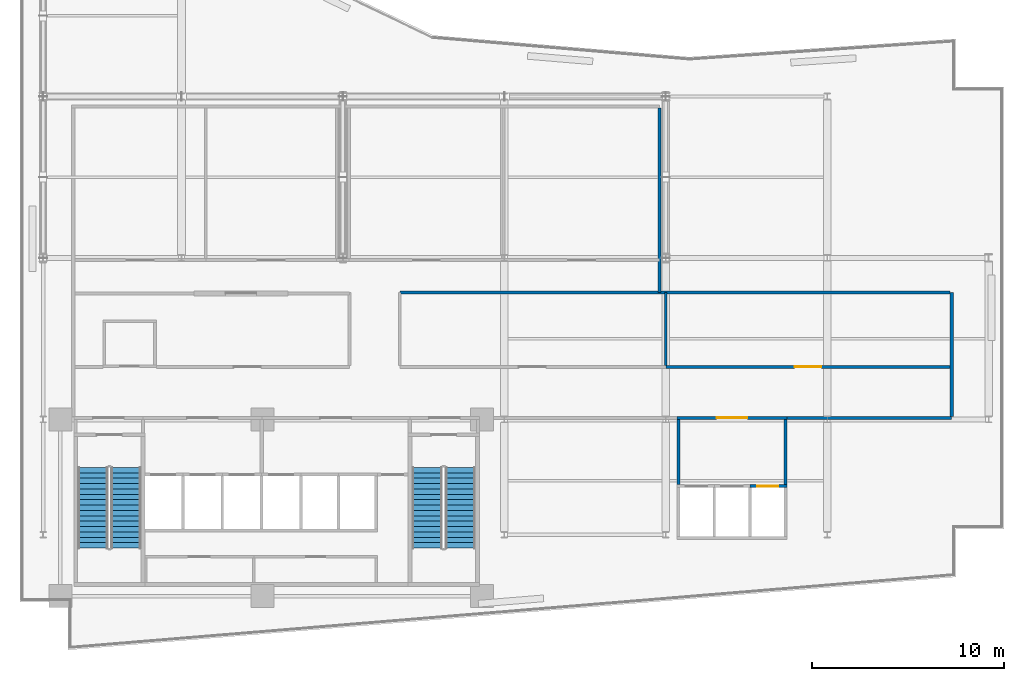
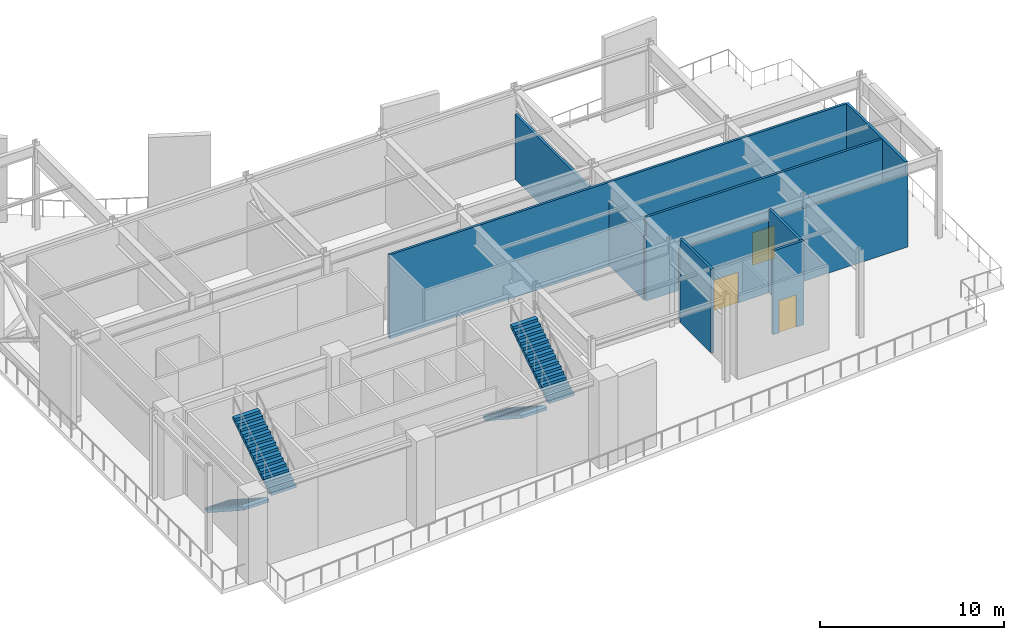
# One storey, part 9 of 13: 10 walls, 4 stair flights, 3 doors, 3 openings, 2 elements without a shape of their own.
"""IFC4 building model written with IfcOpenShell, lengths in metres."""

from ifc_helpers import new_model, si_unit, direction, frame, frame_2d, origin, place, context, subcontext, project, spatial, polyline, rectangle, outline, extrude, material, layer, layer_set, type_object, element, fill, aggregate, save


model = new_model("IFC4")

# Units and contexts
model_context = context("Model", 3, precision=1e-05, world=origin(), true_north=direction((0.0, 1.0)))
body_context = subcontext(model_context, "Body", "Model", "MODEL_VIEW")
ifc_project = project(units=[si_unit("LENGTHUNIT", "METRE"), si_unit("AREAUNIT", "SQUARE_METRE"), si_unit("VOLUMEUNIT", "CUBIC_METRE"), si_unit("PLANEANGLEUNIT", "RADIAN"), si_unit("MASSUNIT", "GRAM", prefix="KILO")], contexts=[model_context])

# Site, building, storey
site_placement = place(None, origin())
site = spatial("IfcSite", under=ifc_project, at=site_placement, CompositionType="ELEMENT")
building_placement = place(site_placement, origin())
building = spatial("IfcBuilding", under=site, at=building_placement, Name="Varnakote Quay Hospital", CompositionType="ELEMENT")
storey_placement = place(building_placement, frame((0.0, 0.0, 174.449951171875)))
storey = spatial("IfcBuildingStorey", under=building, at=storey_placement, Name="L43", CompositionType="ELEMENT", Elevation=174.449951171875)

# Wall
ifc_material_1 = material(Name="Fire-rated acoustic gypsum stud wall", Category="gypsum")
ifc_layer_1 = layer(ifc_material_1, 0.14990234375)
ifc_layer_set_1 = layer_set([ifc_layer_1], Name="Fire-rated acoustic gypsum stud wall")
wall_type_1 = type_object("IfcWallType", Name="WL-COMP-150", PredefinedType="PARTITIONING", material=ifc_layer_set_1)
wall_1_placement = place(storey_placement, frame((33.60009765625, 14.81005859375, 0.0), z_axis=(0.0, 0.0, 1.0), x_axis=(0.0, 1.0, 0.0)))
element("IfcWall", 1, at=wall_1_placement, inside=storey, type_object=wall_type_1, Name="L43 East Refuge Divider Wall", PredefinedType="PARTITIONING", context=body_context, shape_type="SweptSolid", body=[
    extrude(rectangle(XDim=3.7900390625, YDim=0.14990234375, at=frame_2d((1.89501953125, 0.0))), origin(), (0.0, 0.0, 1.0), 4.324951171875),
])

# Wall, opening, door
wall_2_placement = place(storey_placement, frame((33.60009765625, 14.72998046875, 0.0), z_axis=(0.0, 0.0, 1.0), x_axis=(1.0, 0.0, 0.0)))
wall_2 = element("IfcWall", 2, at=wall_2_placement, inside=storey, type_object=wall_type_1, Name="L43 East Refuge Corridor Wall", PredefinedType="PARTITIONING", context=body_context, shape_type="SweptSolid", body=[
    extrude(rectangle(XDim=14.7998046875, YDim=0.14990234375, at=frame_2d((7.39990234375, 0.0))), origin(), (0.0, 0.0, 1.0), 5.56005859375),
])
opening_1_placement = place(wall_2_placement, frame((6.699951171875, 0.0, 0.0)))
opening_1 = element("IfcOpeningElement", 3, at=opening_1_placement, cuts=wall_2, Name="Opening D-REF3-L43", PredefinedType="OPENING", context=body_context, shape_type="SweptSolid", body=[
    extrude(rectangle(XDim=1.39990234375, YDim=2.14990234375, at=frame_2d((0.699951171875, 1.074951171875))), frame((0.0, 0.0849609375, 0.0), z_axis=(0.0, -1.0, 0.0), x_axis=(1.0, 0.0, 0.0)), (0.0, 0.0, 1.0), 0.169921875),
])
ifc_material_2 = material(Name="Fire-rated acoustic plant room door")
door_type_1 = type_object("IfcDoorType", Name="DR-PLANT-FD60-1400x2150", OperationType="NOTDEFINED", PredefinedType="DOOR", material=ifc_material_2)
door_1_placement = place(opening_1_placement, origin())
door_1 = element("IfcDoor", 4, at=door_1_placement, inside=storey, type_object=door_type_1, Name="L43 Fire Refuge Holding Area East Door", OperationType="SINGLE_SWING_LEFT", OverallHeight=2.14990234375, OverallWidth=1.39990234375, PredefinedType="DOOR", context=body_context, shape_type="SweptSolid", body=[
    extrude(rectangle(XDim=1.39990234375, YDim=2.14990234375, at=frame_2d((0.699951171875, 1.074951171875))), frame((0.0, 0.02490234375, 0.0), z_axis=(0.0, -1.0, 0.0), x_axis=(1.0, 0.0, 0.0)), (0.0, 0.0, 1.0), 0.050048828125),
])
fill(opening_1, door_1)

# Walls
wall_3_placement = place(storey_placement, frame((19.760009765625, 18.60009765625, 0.0), z_axis=(0.0, 0.0, 1.0), x_axis=(1.0, 0.0, 0.0)))
element("IfcWall", 5, at=wall_3_placement, inside=storey, type_object=wall_type_1, Name="L43 East Refuge North Wall", PredefinedType="PARTITIONING", context=body_context, shape_type="SweptSolid", body=[
    extrude(rectangle(XDim=28.639892578125, YDim=0.14990234375, at=frame_2d((14.31982421875, 0.0))), origin(), (0.0, 0.0, 1.0), 5.56005859375),
])
ifc_material_3 = material(Name="Fire-rated acoustic gypsum stud wall", Category="gypsum")
ifc_layer_2 = layer(ifc_material_3, 0.159912109375)
ifc_layer_set_2 = layer_set([ifc_layer_2], Name="Fire-rated acoustic gypsum stud wall")
wall_type_2 = type_object("IfcWallType", Name="WL-COMP-160", PredefinedType="PARTITIONING", material=ifc_layer_set_2)
for number, where, z_axis, x_axis, name in (
    (6, (34.27001953125, 8.610107421875, 0.0), (0.0, 0.0, 1.0), (0.0, 1.0, 0.0), "L43 Mid-Rise Lift Lobby West Wall"),
    (7, (39.830078125, 8.610107421875, 0.0), (0.0, 0.0, 1.0), (0.0, 1.0, 0.0), "L43 Mid-Rise Lift Lobby East Wall"),
):
    element("IfcWall", number, at=place(storey_placement, frame(where, z_axis=z_axis, x_axis=x_axis)), inside=storey, type_object=wall_type_2, Name=name, PredefinedType="PARTITIONING", context=body_context, shape_type="SweptSolid", body=[
        extrude(rectangle(XDim=3.389892578125, YDim=0.159912109375, at=frame_2d((1.69482421875, 0.0))), origin(), (0.0, 0.0, 1.0), 5.56005859375),
    ])

# Wall, opening, door
wall_4_placement = place(storey_placement, frame((34.18994140625, 12.080078125, 0.0), z_axis=(0.0, 0.0, 1.0), x_axis=(1.0, 0.0, 0.0)))
wall_4 = element("IfcWall", 8, at=wall_4_placement, inside=storey, type_object=wall_type_2, Name="L43 Mid-Rise Lift Lobby North Wall", PredefinedType="PARTITIONING", context=body_context, shape_type="SweptSolid", body=[
    extrude(rectangle(XDim=5.719970703125, YDim=0.159912109375, at=frame_2d((2.85986328125, 0.0))), origin(), (0.0, 0.0, 1.0), 4.8349609375),
])
opening_2_placement = place(wall_4_placement, frame((2.06005859375, 0.0, 0.0)))
opening_2 = element("IfcOpeningElement", 9, at=opening_2_placement, cuts=wall_4, Name="Opening D-PML-L43", PredefinedType="OPENING", context=body_context, shape_type="SweptSolid", body=[
    extrude(rectangle(XDim=1.60009765625, YDim=2.050048828125, at=frame_2d((0.800048828125, 1.02490234375))), frame((0.0, 0.08984375, 0.0), z_axis=(0.0, -1.0, 0.0), x_axis=(1.0, 0.0, 0.0)), (0.0, 0.0, 1.0), 0.179931640625),
])
ifc_material_4 = material(Name="Fire-rated double smoke lobby door")
door_type_2 = type_object("IfcDoorType", Name="DR-LOBBY-FD60S-1600x2150", OperationType="NOTDEFINED", PredefinedType="DOOR", material=ifc_material_4)
door_2_placement = place(opening_2_placement, origin())
door_2 = element("IfcDoor", 10, at=door_2_placement, inside=storey, type_object=door_type_2, Name="L43 Mid-Rise Passenger Concourse Vestibule Door", OperationType="DOUBLE_DOOR_SINGLE_SWING", OverallHeight=2.050048828125, OverallWidth=1.60009765625, PredefinedType="DOOR", context=body_context, shape_type="SweptSolid", body=[
    extrude(rectangle(XDim=1.60009765625, YDim=2.050048828125, at=frame_2d((0.800048828125, 1.02490234375))), frame((0.0, 0.02490234375, 0.0), z_axis=(0.0, -1.0, 0.0), x_axis=(1.0, 0.0, 0.0)), (0.0, 0.0, 1.0), 0.050048828125),
])
fill(opening_2, door_2)

# Walls
wall_5_placement = place(storey_placement, frame((33.280029296875, 18.60009765625, 0.0), z_axis=(0.0, 0.0, 1.0), x_axis=(0.0, 1.0, 0.0)))
element("IfcWall", 11, at=wall_5_placement, inside=storey, type_object=wall_type_2, Name="L43 Plant Block East Enclosure Wall", PredefinedType="PARTITIONING", context=body_context, shape_type="SweptSolid", body=[
    extrude(rectangle(XDim=9.599853515625, YDim=0.159912109375, at=frame_2d((4.7998046875, 0.0))), origin(), (0.0, 0.0, 1.0), 4.324951171875),
])
wall_6_placement = place(storey_placement, frame((48.47998046875, 12.159912109375, 0.0), z_axis=(0.0, 0.0, 1.0), x_axis=(0.0, 1.0, 0.0)))
element("IfcWall", 12, at=wall_6_placement, inside=storey, type_object=wall_type_2, Name="L43 Refuge & Plant East End Wall", PredefinedType="PARTITIONING", context=body_context, shape_type="SweptSolid", body=[
    extrude(rectangle(XDim=6.440185546875, YDim=0.159912109375, at=frame_2d((3.22021484375, 0.0))), origin(), (0.0, 0.0, 1.0), 5.56005859375),
])
wall_7_placement = place(storey_placement, frame((39.919921875, 12.080078125, 0.0), z_axis=(0.0, 0.0, 1.0), x_axis=(1.0, 0.0, 0.0)))
element("IfcWall", 13, at=wall_7_placement, inside=storey, type_object=wall_type_2, Name="L43 Plant Corridor East Gap Wall", PredefinedType="PARTITIONING", context=body_context, shape_type="SweptSolid", body=[
    extrude(rectangle(XDim=8.56005859375, YDim=0.159912109375, at=frame_2d((4.280029296875, 0.0))), origin(), (0.0, 0.0, 1.0), 4.8349609375),
])

# Wall, opening, door
ifc_material_5 = material(Name="Concrete N50 (f'c 50 MPa)", Category="concrete")
ifc_layer_3 = layer(ifc_material_5, 0.159912109375)
ifc_layer_set_3 = layer_set([ifc_layer_3], Name="Concrete N50 (f'c 50 MPa)")
wall_type_3 = type_object("IfcWallType", Name="WL-SHAFT-N50-160", PredefinedType="SHEAR", material=ifc_layer_set_3)
wall_8_placement = place(storey_placement, frame((37.97509765625, 8.530029296875, 0.0), z_axis=(0.0, 0.0, 1.0), x_axis=(1.0, 0.0, 0.0)))
wall_8 = element("IfcWall", 14, at=wall_8_placement, inside=storey, type_object=wall_type_3, Name="L43 LF-PM3 Hoistway Front Wall", PredefinedType="SHEAR", context=body_context, shape_type="SweptSolid", body=[
    extrude(rectangle(XDim=1.934814453125, YDim=0.159912109375, at=frame_2d((0.96728515625, 0.0))), origin(), (0.0, 0.0, 1.0), 5.56005859375),
])
opening_3_placement = place(wall_8_placement, frame((0.375, 0.0, 0.0)))
opening_3 = element("IfcOpeningElement", 15, at=opening_3_placement, cuts=wall_8, Name="Opening LD-PM3-L43", PredefinedType="OPENING", context=body_context, shape_type="SweptSolid", body=[
    extrude(rectangle(XDim=1.10009765625, YDim=2.14990234375, at=frame_2d((0.550048828125, 1.074951171875))), frame((0.0, 0.08984375, 0.0), z_axis=(0.0, -1.0, 0.0), x_axis=(1.0, 0.0, 0.0)), (0.0, 0.0, 1.0), 0.179931640625),
])
ifc_material_6 = material(Name="Brushed bronze lift landing sliding door")
door_type_3 = type_object("IfcDoorType", Name="DR-LIFT-LD-1100x2150", OperationType="NOTDEFINED", PredefinedType="DOOR", material=ifc_material_6)
door_3_placement = place(opening_3_placement, origin())
door_3 = element("IfcDoor", 16, at=door_3_placement, inside=storey, type_object=door_type_3, Name="L43 LF-PM3 Lift Landing Sliding Door", OperationType="SLIDING_TO_LEFT", OverallHeight=2.14990234375, OverallWidth=1.10009765625, PredefinedType="DOOR", context=body_context, shape_type="SweptSolid", body=[
    extrude(rectangle(XDim=1.10009765625, YDim=2.14990234375, at=frame_2d((0.550048828125, 1.074951171875))), frame((0.0, 0.02490234375, 0.0), z_axis=(0.0, -1.0, 0.0), x_axis=(1.0, 0.0, 0.0)), (0.0, 0.0, 1.0), 0.050048828125),
])
fill(opening_3, door_3)

# Stair, stair flights
ifc_material_7 = material(Name="Concrete N40 (f'c 40 MPa)", Category="concrete")
stair_type = type_object("IfcStairType", Name="STR-CORE-1580", PredefinedType="HALF_TURN_STAIR", material=ifc_material_7)
stair_1_placement = place(storey_placement, origin())
stair_1 = element("IfcStair", 17, at=stair_1_placement, inside=storey, type_object=stair_type, Name="L43 Fire-Isolated Exit Stair ST-01", PredefinedType="HALF_TURN_STAIR")
ifc_material_8 = material(Name="Concrete N40 (f'c 40 MPa)", Category="concrete")
ifc_layer_4 = layer(ifc_material_8, 0.159912109375)
ifc_layer_set_4 = layer_set([ifc_layer_4], Name="Concrete N40 (f'c 40 MPa)")
stair_flight_type = type_object("IfcStairFlightType", Name="FLT-CORE-1580", PredefinedType="STRAIGHT", material=ifc_layer_set_4)
stair_flight_1_placement = place(storey_placement, frame((3.7900390625, 9.5, 0.0), z_axis=(0.0, 0.0, 1.0), x_axis=(0.0, -1.0, 0.0)))
stair_flight_1 = element("IfcStairFlight", 18, at=stair_flight_1_placement, type_object=stair_flight_type, Name="ST-01 flight 1", NumberOfRisers=16, NumberOfTreads=15, PredefinedType="STRAIGHT", RiserHeight=0.18125, TreadLength=0.28, context=body_context, shape_type="SweptSolid", body=[
    extrude(outline(polyline([(0.0, 0.0), (0.0, 0.18115234375), (0.280029296875, 0.18115234375), (0.280029296875, 0.362548828125), (0.56005859375, 0.362548828125), (0.56005859375, 0.543701171875), (0.840087890625, 0.543701171875), (0.840087890625, 0.72509765625), (1.1201171875, 0.72509765625), (1.1201171875, 0.90625), (1.39990234375, 0.90625), (1.39990234375, 1.08740234375), (1.679931640625, 1.08740234375), (1.679931640625, 1.268798828125), (1.9599609375, 1.268798828125), (1.9599609375, 1.449951171875), (2.239990234375, 1.449951171875), (2.239990234375, 1.63134765625), (2.52001953125, 1.63134765625), (2.52001953125, 1.8125), (2.800048828125, 1.8125), (2.800048828125, 1.99365234375), (3.080078125, 1.99365234375), (3.080078125, 2.175048828125), (3.360107421875, 2.175048828125), (3.360107421875, 2.356201171875), (3.639892578125, 2.356201171875), (3.639892578125, 2.53759765625), (3.919921875, 2.53759765625), (3.919921875, 2.71875), (4.199951171875, 2.71875), (4.199951171875, 2.89990234375), (4.199951171875, 2.5283203125), (0.294189453125, 0.0), (0.0, 0.0)])), frame((0.0, 0.7900390625, 0.0), z_axis=(0.0, -1.0, 0.0), x_axis=(1.0, 0.0, 0.0)), (0.0, 0.0, 1.0), 1.580078125),
])
stair_flight_2_placement = place(storey_placement, frame((5.510009765625, 5.300048828125, 2.900146484375), z_axis=(0.0, 0.0, 1.0), x_axis=(0.0, 1.0, 0.0)))
stair_flight_2 = element("IfcStairFlight", 19, at=stair_flight_2_placement, type_object=stair_flight_type, Name="ST-01 flight 2", NumberOfRisers=16, NumberOfTreads=15, PredefinedType="STRAIGHT", RiserHeight=0.18125, TreadLength=0.28, context=body_context, shape_type="SweptSolid", body=[
    extrude(outline(polyline([(0.0, 0.0), (0.0, 0.18115234375), (0.280029296875, 0.18115234375), (0.280029296875, 0.362548828125), (0.56005859375, 0.362548828125), (0.56005859375, 0.543701171875), (0.840087890625, 0.543701171875), (0.840087890625, 0.72509765625), (1.1201171875, 0.72509765625), (1.1201171875, 0.90625), (1.39990234375, 0.90625), (1.39990234375, 1.08740234375), (1.679931640625, 1.08740234375), (1.679931640625, 1.268798828125), (1.9599609375, 1.268798828125), (1.9599609375, 1.449951171875), (2.239990234375, 1.449951171875), (2.239990234375, 1.63134765625), (2.52001953125, 1.63134765625), (2.52001953125, 1.8125), (2.800048828125, 1.8125), (2.800048828125, 1.99365234375), (3.080078125, 1.99365234375), (3.080078125, 2.175048828125), (3.360107421875, 2.175048828125), (3.360107421875, 2.356201171875), (3.639892578125, 2.356201171875), (3.639892578125, 2.53759765625), (3.919921875, 2.53759765625), (3.919921875, 2.71875), (4.199951171875, 2.71875), (4.199951171875, 2.89990234375), (4.199951171875, 2.5283203125), (0.294189453125, 0.0), (0.0, 0.0)])), frame((0.0, 0.7900390625, 0.0), z_axis=(0.0, -1.0, 0.0), x_axis=(1.0, 0.0, 0.0)), (0.0, 0.0, 1.0), 1.580078125),
])
aggregate(stair_1, [stair_flight_1, stair_flight_2])

stair_2_placement = place(storey_placement, origin())
stair_2 = element("IfcStair", 20, at=stair_2_placement, inside=storey, type_object=stair_type, Name="L43 Fire-Isolated Exit Stair ST-02", PredefinedType="HALF_TURN_STAIR")
stair_flight_3_placement = place(storey_placement, frame((21.18994140625, 9.5, 0.0), z_axis=(0.0, 0.0, 1.0), x_axis=(0.0, -1.0, 0.0)))
stair_flight_3 = element("IfcStairFlight", 21, at=stair_flight_3_placement, type_object=stair_flight_type, Name="ST-02 flight 1", NumberOfRisers=16, NumberOfTreads=15, PredefinedType="STRAIGHT", RiserHeight=0.18125, TreadLength=0.28, context=body_context, shape_type="SweptSolid", body=[
    extrude(outline(polyline([(0.0, 0.0), (0.0, 0.18115234375), (0.280029296875, 0.18115234375), (0.280029296875, 0.362548828125), (0.56005859375, 0.362548828125), (0.56005859375, 0.543701171875), (0.840087890625, 0.543701171875), (0.840087890625, 0.72509765625), (1.1201171875, 0.72509765625), (1.1201171875, 0.90625), (1.39990234375, 0.90625), (1.39990234375, 1.08740234375), (1.679931640625, 1.08740234375), (1.679931640625, 1.268798828125), (1.9599609375, 1.268798828125), (1.9599609375, 1.449951171875), (2.239990234375, 1.449951171875), (2.239990234375, 1.63134765625), (2.52001953125, 1.63134765625), (2.52001953125, 1.8125), (2.800048828125, 1.8125), (2.800048828125, 1.99365234375), (3.080078125, 1.99365234375), (3.080078125, 2.175048828125), (3.360107421875, 2.175048828125), (3.360107421875, 2.356201171875), (3.639892578125, 2.356201171875), (3.639892578125, 2.53759765625), (3.919921875, 2.53759765625), (3.919921875, 2.71875), (4.199951171875, 2.71875), (4.199951171875, 2.89990234375), (4.199951171875, 2.5283203125), (0.294189453125, 0.0), (0.0, 0.0)])), frame((0.0, 0.7900390625, 0.0), z_axis=(0.0, -1.0, 0.0), x_axis=(1.0, 0.0, 0.0)), (0.0, 0.0, 1.0), 1.580078125),
])
stair_flight_4_placement = place(storey_placement, frame((22.909912109375, 5.300048828125, 2.900146484375), z_axis=(0.0, 0.0, 1.0), x_axis=(0.0, 1.0, 0.0)))
stair_flight_4 = element("IfcStairFlight", 22, at=stair_flight_4_placement, type_object=stair_flight_type, Name="ST-02 flight 2", NumberOfRisers=16, NumberOfTreads=15, PredefinedType="STRAIGHT", RiserHeight=0.18125, TreadLength=0.28, context=body_context, shape_type="SweptSolid", body=[
    extrude(outline(polyline([(0.0, 0.0), (0.0, 0.18115234375), (0.280029296875, 0.18115234375), (0.280029296875, 0.362548828125), (0.56005859375, 0.362548828125), (0.56005859375, 0.543701171875), (0.840087890625, 0.543701171875), (0.840087890625, 0.72509765625), (1.1201171875, 0.72509765625), (1.1201171875, 0.90625), (1.39990234375, 0.90625), (1.39990234375, 1.08740234375), (1.679931640625, 1.08740234375), (1.679931640625, 1.268798828125), (1.9599609375, 1.268798828125), (1.9599609375, 1.449951171875), (2.239990234375, 1.449951171875), (2.239990234375, 1.63134765625), (2.52001953125, 1.63134765625), (2.52001953125, 1.8125), (2.800048828125, 1.8125), (2.800048828125, 1.99365234375), (3.080078125, 1.99365234375), (3.080078125, 2.175048828125), (3.360107421875, 2.175048828125), (3.360107421875, 2.356201171875), (3.639892578125, 2.356201171875), (3.639892578125, 2.53759765625), (3.919921875, 2.53759765625), (3.919921875, 2.71875), (4.199951171875, 2.71875), (4.199951171875, 2.89990234375), (4.199951171875, 2.5283203125), (0.294189453125, 0.0), (0.0, 0.0)])), frame((0.0, 0.7900390625, 0.0), z_axis=(0.0, -1.0, 0.0), x_axis=(1.0, 0.0, 0.0)), (0.0, 0.0, 1.0), 1.580078125),
])
aggregate(stair_2, [stair_flight_3, stair_flight_4])

save(model, "model.ifc")
